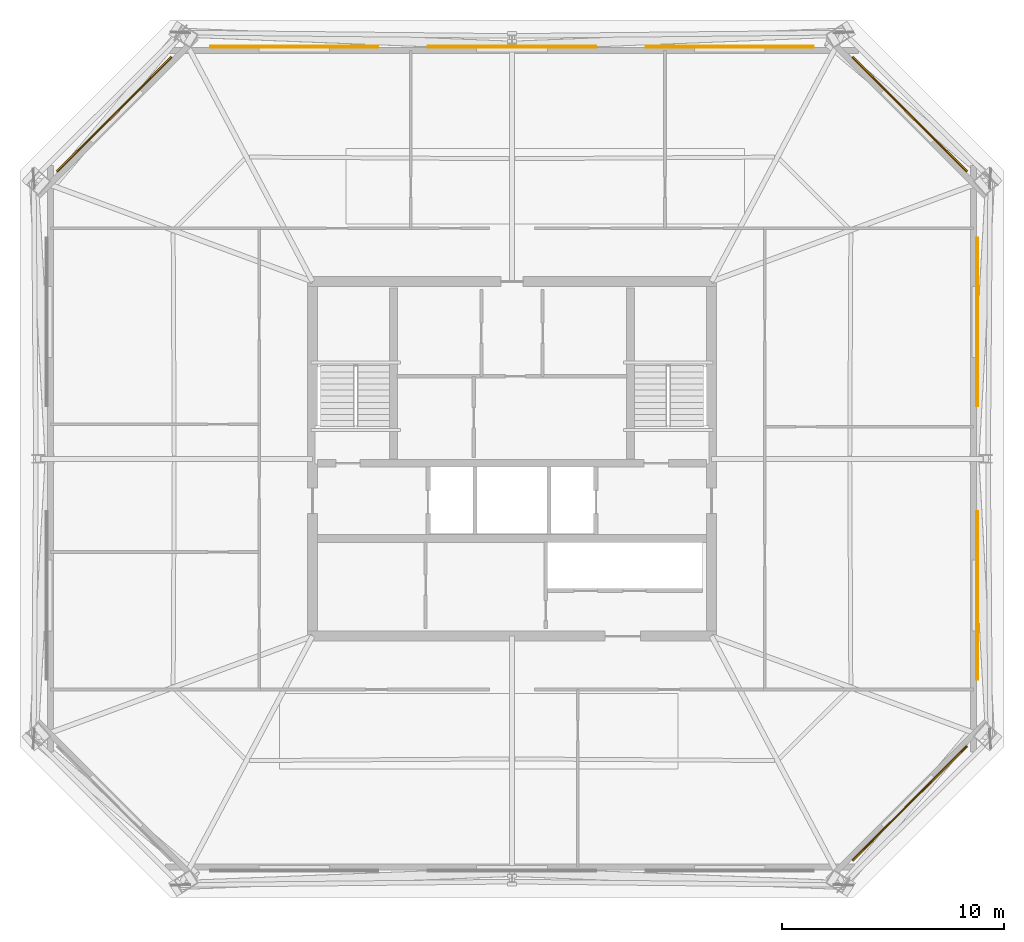
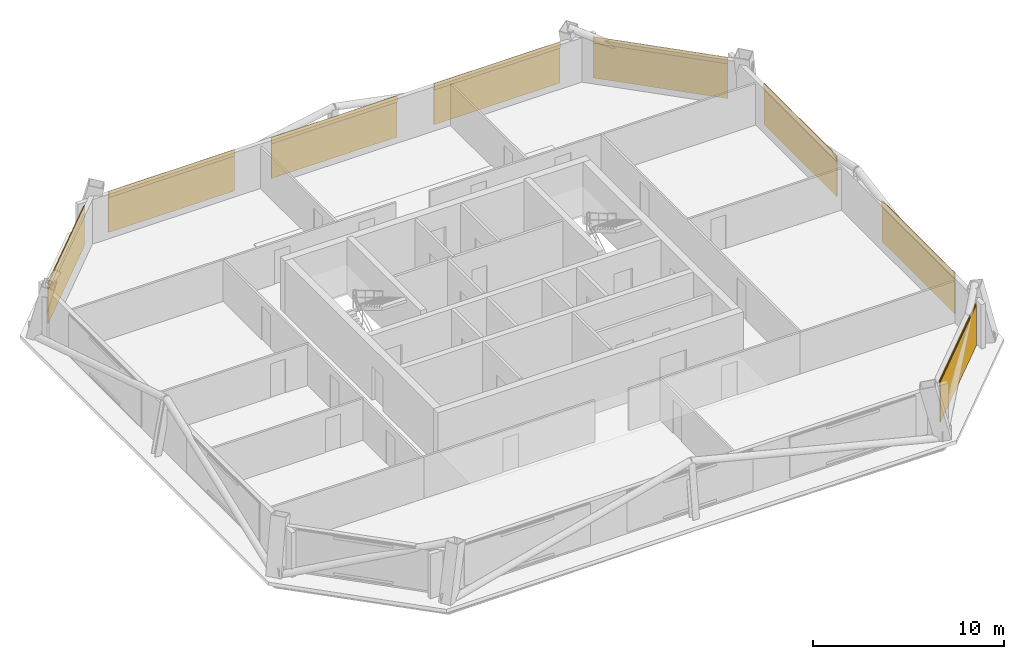
# One storey, part 6 of 6: 8 coverings, 8 shading devices.
"""IFC4 building model written with IfcOpenShell, lengths in metres."""

from ifc_helpers import new_model, si_unit, direction, frame, origin, origin_2d, place, context, subcontext, project, spatial, rectangle, extrude, material, layer, layer_set, type_object, element, save


model = new_model("IFC4")

# Units and contexts
model_context = context("Model", 3, precision=1e-05, world=origin(), true_north=direction((0.0, 1.0)))
body_context = subcontext(model_context, "Body", "Model", "MODEL_VIEW")
ifc_project = project(units=[si_unit("LENGTHUNIT", "METRE"), si_unit("AREAUNIT", "SQUARE_METRE"), si_unit("VOLUMEUNIT", "CUBIC_METRE"), si_unit("PLANEANGLEUNIT", "RADIAN"), si_unit("MASSUNIT", "GRAM", prefix="KILO")], contexts=[model_context])

# Site, building, storey
site_placement = place(None, origin())
site = spatial("IfcSite", under=ifc_project, at=site_placement, CompositionType="ELEMENT")
building_placement = place(site_placement, origin())
building = spatial("IfcBuilding", under=site, at=building_placement, Name="Caelvoria Tower", CompositionType="ELEMENT")
storey_placement = place(building_placement, frame((0.0, 0.0, 205.800048828125)))
storey = spatial("IfcBuildingStorey", under=building, at=storey_placement, Name="L54", CompositionType="ELEMENT", Elevation=205.800048828125)

# Coverings
ifc_material_1 = material(Name="Perforated Architectural Bronze Cladding Screen", Category="bronze")
ifc_layer_1 = layer(ifc_material_1, 0.0400390625, Name="Perforated Architectural Bronze Cladding Screen")
ifc_layer_set_1 = layer_set([ifc_layer_1], Name="Perforated Bronze Louvre Cladding Band 40 - Perforated Architectural Bronze Cladding Screen")
covering_type = type_object("IfcCoveringType", Name="Perforated Bronze Louvre Cladding Band 40", PredefinedType="CLADDING", material=ifc_layer_set_1)
covering_1_placement = place(storey_placement, frame((63.926513671875, 16.4736328125, 2.412109375), z_axis=(0.0, 0.0, 1.0), x_axis=(0.707106781187, 0.707106781187, 0.0)))
element("IfcCovering", 1, at=covering_1_placement, inside=storey, type_object=covering_type, Name="Perforated Bronze Screen Band L54-E1-00", PredefinedType="CLADDING", context=body_context, shape_type="SweptSolid", body=[
    extrude(rectangle(XDim=7.301025390625, YDim=0.0400390625, at=origin_2d()), origin(), (0.0, 0.0, 1.0), 0.39990234375),
])
for number, where, z_axis, x_axis, name in (
    (2, (66.964599609375, 25.830078125, 2.412109375), (0.0, 0.0, 1.0), (0.0, 1.0, 0.0), "Perforated Bronze Screen Band L54-E2-00"),
    (3, (66.964599609375, 38.169921875, 2.412109375), (0.0, 0.0, 1.0), (0.0, 1.0, 0.0), "Perforated Bronze Screen Band L54-E2-01"),
):
    element("IfcCovering", number, at=place(storey_placement, frame(where, z_axis=z_axis, x_axis=x_axis)), inside=storey, type_object=covering_type, Name=name, PredefinedType="CLADDING", context=body_context, shape_type="SweptSolid", body=[
        extrude(rectangle(XDim=7.60009765625, YDim=0.0400390625, at=origin_2d()), origin(), (0.0, 0.0, 1.0), 0.39990234375),
    ])
covering_2_placement = place(storey_placement, frame((63.926513671875, 47.5263671875, 2.412109375), z_axis=(0.0, 0.0, 1.0), x_axis=(-0.707106781187, 0.707106781187, 0.0)))
element("IfcCovering", 4, at=covering_2_placement, inside=storey, type_object=covering_type, Name="Perforated Bronze Screen Band L54-E3-00", PredefinedType="CLADDING", context=body_context, shape_type="SweptSolid", body=[
    extrude(rectangle(XDim=7.301025390625, YDim=0.0400390625, at=origin_2d()), origin(), (0.0, 0.0, 1.0), 0.39990234375),
])
for number, where, z_axis, x_axis, name in (
    (5, (55.82666015625, 50.564453125, 2.412109375), (0.0, 0.0, 1.0), (-1.0, 0.0, 0.0), "Perforated Bronze Screen Band L54-E4-00"),
    (6, (46.0, 50.564453125, 2.412109375), (0.0, 0.0, 1.0), (-1.0, 0.0, 0.0), "Perforated Bronze Screen Band L54-E4-01"),
    (7, (36.17333984375, 50.564453125, 2.412109375), (0.0, 0.0, 1.0), (-1.0, 0.0, 0.0), "Perforated Bronze Screen Band L54-E4-02"),
):
    element("IfcCovering", number, at=place(storey_placement, frame(where, z_axis=z_axis, x_axis=x_axis)), inside=storey, type_object=covering_type, Name=name, PredefinedType="CLADDING", context=body_context, shape_type="SweptSolid", body=[
        extrude(rectangle(XDim=7.60009765625, YDim=0.0400390625, at=origin_2d()), origin(), (0.0, 0.0, 1.0), 0.39990234375),
    ])
covering_3_placement = place(storey_placement, frame((28.073486328125, 47.5263671875, 2.412109375), z_axis=(0.0, 0.0, 1.0), x_axis=(-0.707106781187, -0.707106781187, 0.0)))
element("IfcCovering", 8, at=covering_3_placement, inside=storey, type_object=covering_type, Name="Perforated Bronze Screen Band L54-E5-00", PredefinedType="CLADDING", context=body_context, shape_type="SweptSolid", body=[
    extrude(rectangle(XDim=7.301025390625, YDim=0.0400390625, at=origin_2d()), origin(), (0.0, 0.0, 1.0), 0.39990234375),
])

# Shading devices
ifc_material_2 = material(Name="Perforated Architectural Bronze Alloy Panel", Category="bronze")
ifc_layer_2 = layer(ifc_material_2, 0.044921875, Name="Perforated Architectural Bronze Alloy Panel")
ifc_layer_set_2 = layer_set([ifc_layer_2], Name="Perforated Bronze Solar Screen Panel SCREEN - Perforated Architectural Bronze Alloy Panel")
shading_device_type = type_object("IfcShadingDeviceType", Name="Perforated Bronze Solar Screen Panel SCREEN", PredefinedType="USERDEFINED", material=ifc_layer_set_2)
shading_device_1_placement = place(storey_placement, frame((63.956787109375, 16.443115234375, 0.16015625), z_axis=(0.0, 0.0, 1.0), x_axis=(0.707106781187, 0.707106781187, 0.0)))
element("IfcShadingDevice", 9, at=shading_device_1_placement, inside=storey, type_object=shading_device_type, Name="Perforated Bronze Solar Screen L54-E1-00", ObjectType="SCREEN", PredefinedType="USERDEFINED", context=body_context, shape_type="SweptSolid", body=[
    extrude(rectangle(XDim=7.301025390625, YDim=0.044921875, at=origin_2d()), origin(), (0.0, 0.0, 1.0), 2.592041015625),
])
for number, where, z_axis, x_axis, name in (
    (10, (67.007568359375, 25.830078125, 0.16015625), (0.0, 0.0, 1.0), (0.0, 1.0, 0.0), "Perforated Bronze Solar Screen L54-E2-00"),
    (11, (67.007568359375, 38.169921875, 0.16015625), (0.0, 0.0, 1.0), (0.0, 1.0, 0.0), "Perforated Bronze Solar Screen L54-E2-01"),
):
    element("IfcShadingDevice", number, at=place(storey_placement, frame(where, z_axis=z_axis, x_axis=x_axis)), inside=storey, type_object=shading_device_type, Name=name, ObjectType="SCREEN", PredefinedType="USERDEFINED", context=body_context, shape_type="SweptSolid", body=[
        extrude(rectangle(XDim=7.60009765625, YDim=0.044921875, at=origin_2d()), origin(), (0.0, 0.0, 1.0), 2.592041015625),
    ])
shading_device_2_placement = place(storey_placement, frame((63.956787109375, 47.556884765625, 0.16015625), z_axis=(0.0, 0.0, 1.0), x_axis=(-0.707106781187, 0.707106781187, 0.0)))
element("IfcShadingDevice", 12, at=shading_device_2_placement, inside=storey, type_object=shading_device_type, Name="Perforated Bronze Solar Screen L54-E3-00", ObjectType="SCREEN", PredefinedType="USERDEFINED", context=body_context, shape_type="SweptSolid", body=[
    extrude(rectangle(XDim=7.301025390625, YDim=0.044921875, at=origin_2d()), origin(), (0.0, 0.0, 1.0), 2.592041015625),
])
for number, where, z_axis, x_axis, name in (
    (13, (55.82666015625, 50.607421875, 0.16015625), (0.0, 0.0, 1.0), (-1.0, 0.0, 0.0), "Perforated Bronze Solar Screen L54-E4-00"),
    (14, (46.0, 50.607421875, 0.16015625), (0.0, 0.0, 1.0), (-1.0, 0.0, 0.0), "Perforated Bronze Solar Screen L54-E4-01"),
    (15, (36.17333984375, 50.607421875, 0.16015625), (0.0, 0.0, 1.0), (-1.0, 0.0, 0.0), "Perforated Bronze Solar Screen L54-E4-02"),
):
    element("IfcShadingDevice", number, at=place(storey_placement, frame(where, z_axis=z_axis, x_axis=x_axis)), inside=storey, type_object=shading_device_type, Name=name, ObjectType="SCREEN", PredefinedType="USERDEFINED", context=body_context, shape_type="SweptSolid", body=[
        extrude(rectangle(XDim=7.60009765625, YDim=0.044921875, at=origin_2d()), origin(), (0.0, 0.0, 1.0), 2.592041015625),
    ])
shading_device_3_placement = place(storey_placement, frame((28.043212890625, 47.556884765625, 0.16015625), z_axis=(0.0, 0.0, 1.0), x_axis=(-0.707106781187, -0.707106781187, 0.0)))
element("IfcShadingDevice", 16, at=shading_device_3_placement, inside=storey, type_object=shading_device_type, Name="Perforated Bronze Solar Screen L54-E5-00", ObjectType="SCREEN", PredefinedType="USERDEFINED", context=body_context, shape_type="SweptSolid", body=[
    extrude(rectangle(XDim=7.301025390625, YDim=0.044921875, at=origin_2d()), origin(), (0.0, 0.0, 1.0), 2.592041015625),
])

save(model, "model.ifc")
